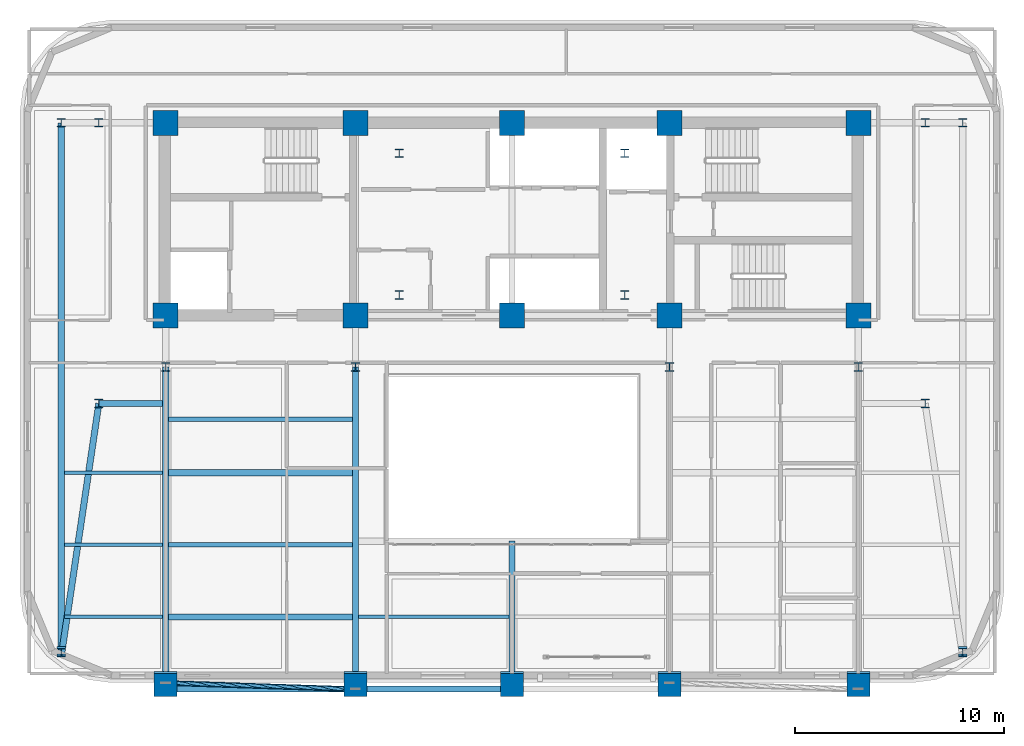
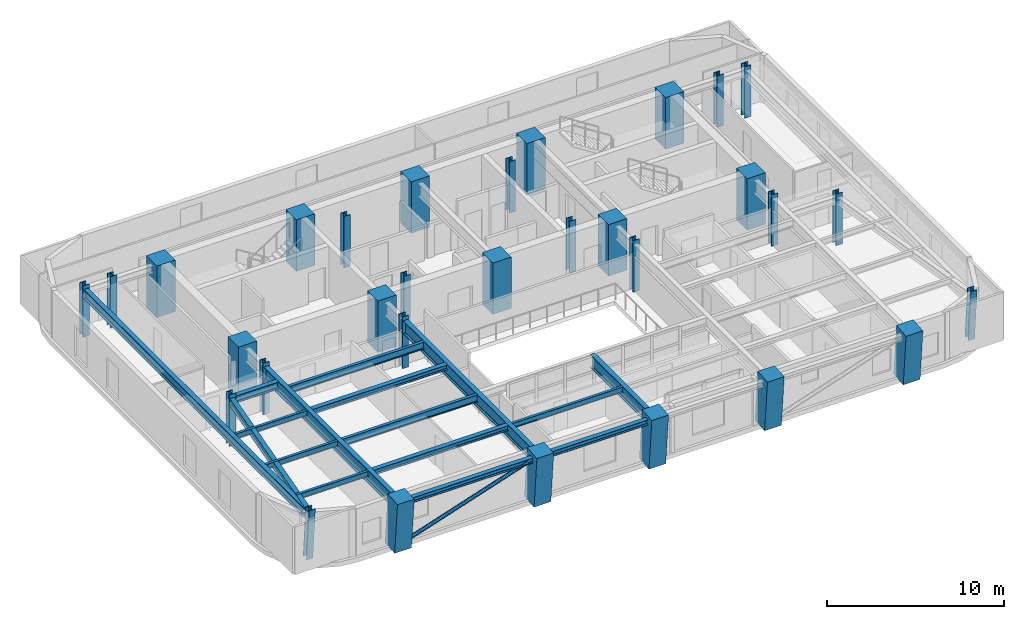
# One storey, part 1 of 13: 31 columns, 16 beams, 1 member.
"""IFC4 building model written with IfcOpenShell, lengths in metres."""

import ifcopenshell
import ifcopenshell.guid

model = None  # the IFC model being written
_history = None  # IfcOwnerHistory: only IFC2X3 demands one
_inside = {}  # id of a spatial element -> (the spatial element, [elements in it])
_under = {}  # id of a project, library or spatial element -> (it, [spatial elements below it])
_declared = {}  # id of a project -> (the project, [libraries it declares])
_typed = {}  # id of a type object -> (the type object, [elements of that type])
_made_of = {}  # id of a material, layer set ... -> (it, [elements and type objects made of it])


def new_model(schema):
    """Start an empty IFC model of exactly this schema.

    Asked for "IFC4X3", IfcOpenShell would pick the latest addendum, in which some entities
    have other attributes; the version numbers below select the first issue.
    IFC2X3 requires an IfcOwnerHistory on every rooted entity: one is made here for all.
    """
    global model, _history
    if schema == "IFC4X3":
        model = ifcopenshell.file(schema_version=(4, 3, 0, 0))
    else:
        model = ifcopenshell.file(schema=schema)
    _inside.clear()
    _under.clear()
    _declared.clear()
    _typed.clear()
    _made_of.clear()
    _history = None
    if model.schema == "IFC2X3":
        org = make("IfcOrganization", Name="unknown")
        user = make(
            "IfcPersonAndOrganization",
            ThePerson=make("IfcPerson", FamilyName="unknown"),
            TheOrganization=org,
        )
        app = make(
            "IfcApplication",
            ApplicationDeveloper=org,
            Version="unknown",
            ApplicationFullName="unknown",
            ApplicationIdentifier="unknown",
        )
        _history = make(
            "IfcOwnerHistory",
            OwningUser=user,
            OwningApplication=app,
            ChangeAction="ADDED",
            CreationDate=0,
        )
    return model


def make(cls, **values):
    """One entity of the class cls with the attributes given. An attribute that is None is left unset."""
    return model.create_entity(
        cls, **{name: value for name, value in values.items() if value is not None}
    )


def rooted(cls, **values):
    """An entity with a GlobalId (a new one), such as an element, a storey or a relation."""
    return make(cls, GlobalId=ifcopenshell.guid.new(), OwnerHistory=_history, **values)


def si_unit(unit_type, name, prefix=None):
    """IfcSIUnit, for example si_unit("LENGTHUNIT", "METRE", prefix="MILLI")."""
    return make("IfcSIUnit", UnitType=unit_type, Prefix=prefix, Name=name)


def assignment(units):
    """IfcUnitAssignment: the units of a project."""
    return None if units is None else make("IfcUnitAssignment", Units=units)


def point(xyz):
    """IfcCartesianPoint."""
    return None if xyz is None else make("IfcCartesianPoint", Coordinates=xyz)


def direction(xyz):
    """IfcDirection."""
    return None if xyz is None else make("IfcDirection", DirectionRatios=xyz)


def frame(location, z_axis=None, x_axis=None):
    """IfcAxis2Placement3D, a coordinate frame: its origin and axes. An axis left out is left unset."""
    return make(
        "IfcAxis2Placement3D",
        Location=point(location),
        Axis=direction(z_axis),
        RefDirection=direction(x_axis),
    )


def frame_2d(location, x_axis=None):
    """IfcAxis2Placement2D, a coordinate frame in the plane: its origin and x axis."""
    return make(
        "IfcAxis2Placement2D", Location=point(location), RefDirection=direction(x_axis)
    )


def origin():
    """The frame at (0, 0, 0) with its axes left unset."""
    return frame((0.0, 0.0, 0.0))


def origin_2d():
    """The frame at (0, 0) in the plane with its x axis left unset."""
    return frame_2d((0.0, 0.0))


def place(relative_to, where):
    """IfcLocalPlacement: puts the frame where relative to a parent placement (None: the world)."""
    return make(
        "IfcLocalPlacement", PlacementRelTo=relative_to, RelativePlacement=where
    )


def context(
    kind, dimensions, precision=None, world=None, true_north=None, identifier=None
):
    """IfcGeometricRepresentationContext, for example the 3D "Model" context."""
    return make(
        "IfcGeometricRepresentationContext",
        ContextIdentifier=identifier,
        ContextType=kind,
        CoordinateSpaceDimension=dimensions,
        Precision=precision,
        WorldCoordinateSystem=world,
        TrueNorth=true_north,
    )


def subcontext(parent, identifier, kind, view, scale=None):
    """IfcGeometricRepresentationSubContext, for example "Body" below "Model"."""
    return make(
        "IfcGeometricRepresentationSubContext",
        ContextIdentifier=identifier,
        ContextType=kind,
        ParentContext=parent,
        TargetScale=scale,
        TargetView=view,
    )


def project(units=None, contexts=None):
    """IfcProject with its units and contexts."""
    return rooted(
        "IfcProject",
        Name="project",
        RepresentationContexts=contexts,
        UnitsInContext=assignment(units),
    )


def spatial(cls, under=None, at=None, **own):
    """A site, building, storey or space (cls), placed at a placement, below another one or the project."""
    s = rooted(cls, ObjectPlacement=at, **own)
    if under is not None:
        _under.setdefault(under.id(), (under, []))[1].append(s)
    return s


def profile(cls, at=None, kind="AREA", **sizes):
    """A parametric profile (cls). Its sizes go by their IFC names, for example OverallWidth=200.0."""
    return make(cls, ProfileType=kind, Position=at, **sizes)


def rectangle(**sizes):
    """IfcRectangleProfileDef."""
    return profile("IfcRectangleProfileDef", **sizes)


def hollow_circle(**sizes):
    """IfcCircleHollowProfileDef."""
    return profile("IfcCircleHollowProfileDef", **sizes)


def i_section(**sizes):
    """IfcIShapeProfileDef."""
    return profile("IfcIShapeProfileDef", **sizes)


def extrude(swept, where, along, depth):
    """IfcExtrudedAreaSolid: the profile swept, set in the frame where, extruded along a direction by depth."""
    return make(
        "IfcExtrudedAreaSolid",
        SweptArea=swept,
        Position=where,
        ExtrudedDirection=direction(along),
        Depth=depth,
    )


def shape(context_of_items, identifier, shape_type, items):
    """IfcShapeRepresentation: the items that make up one representation, for example the "Body"."""
    return make(
        "IfcShapeRepresentation",
        ContextOfItems=context_of_items,
        RepresentationIdentifier=identifier,
        RepresentationType=shape_type,
        Items=items,
    )


def material(Name=None, Category=None):
    """IfcMaterial."""
    return make("IfcMaterial", Name=Name, Category=Category)


def material_profile(
    of_material, cross_section, Name=None, Category=None, Priority=None
):
    """IfcMaterialProfile: a cross section and its material."""
    return make(
        "IfcMaterialProfile",
        Name=Name,
        Material=of_material,
        Profile=cross_section,
        Priority=Priority,
        Category=Category,
    )


def profile_set(profiles, Name=None, composite=None):
    """IfcMaterialProfileSet."""
    return make(
        "IfcMaterialProfileSet",
        Name=Name,
        MaterialProfiles=profiles,
        CompositeProfile=composite,
    )


def made_of(thing, what):
    """Note that an element or type object is made of a material, layer set ...; save() writes the relation."""
    if what is not None:
        _made_of.setdefault(what.id(), (what, []))[1].append(thing)
    return thing


def type_object(cls, material=None, **own):
    """A type object (cls), such as IfcWallType, which elements share."""
    return made_of(rooted(cls, **own), material)


def element(
    cls,
    number,
    at=None,
    inside=None,
    cuts=None,
    type_object=None,
    material=None,
    context=None,
    identifier="Body",
    shape_type=None,
    held_by="IfcProductDefinitionShape",
    body=None,
    shapes=None,
    **own,
):
    """One element of the class cls, such as IfcWall. Its Tag is "e" and its number.

    at: its placement. inside: the storey or other place that contains it. cuts: it is an
    opening in that element (IfcRelVoidsElement). A single representation is given by context,
    identifier, shape_type and body (its items); several are given by shapes. held_by: the class
    of the entity that holds the representations. save() writes the other relations.
    """
    e = rooted(cls, Tag="e%d" % number, ObjectPlacement=at, **own)
    if body is not None:
        shapes = [shape(context, identifier, shape_type, body)]
    if shapes is not None:
        e.Representation = make(held_by, Representations=shapes)
    if inside is not None:
        _inside.setdefault(inside.id(), (inside, []))[1].append(e)
    if cuts is not None:
        rooted(
            "IfcRelVoidsElement", RelatingBuildingElement=cuts, RelatedOpeningElement=e
        )
    if type_object is not None:
        _typed.setdefault(type_object.id(), (type_object, []))[1].append(e)
    return made_of(e, material)


def aggregate(whole, parts):
    """IfcRelAggregates: a whole, such as a stair, and the parts it consists of."""
    return rooted("IfcRelAggregates", RelatingObject=whole, RelatedObjects=parts)


def save(model, path):
    """Write the relations noted so far, then the file.

    IfcRelAggregates (storeys below a building ...), IfcRelContainedInSpatialStructure (elements
    in a storey), IfcRelDefinesByType, IfcRelAssociatesMaterial and IfcRelDeclares: one each for
    every whole, place, type object, material and project.
    """
    for whole, parts in _under.values():
        aggregate(whole, parts)
    for where, things in _inside.values():
        rooted(
            "IfcRelContainedInSpatialStructure",
            RelatedElements=things,
            RelatingStructure=where,
        )
    for kind, things in _typed.values():
        rooted("IfcRelDefinesByType", RelatedObjects=things, RelatingType=kind)
    for what, things in _made_of.values():
        rooted("IfcRelAssociatesMaterial", RelatedObjects=things, RelatingMaterial=what)
    for by, libraries in _declared.values():
        rooted("IfcRelDeclares", RelatingContext=by, RelatedDefinitions=libraries)
    model.write(path)


model = new_model("IFC4")

# Units and contexts
model_context = context("Model", 3, precision=1e-05, world=origin(), true_north=direction((0.0, 1.0)))
body_context = subcontext(model_context, "Body", "Model", "MODEL_VIEW")
ifc_project = project(units=[si_unit("LENGTHUNIT", "METRE"), si_unit("AREAUNIT", "SQUARE_METRE"), si_unit("VOLUMEUNIT", "CUBIC_METRE"), si_unit("PLANEANGLEUNIT", "RADIAN"), si_unit("MASSUNIT", "GRAM", prefix="KILO")], contexts=[model_context])

# Site, building, storey
site_placement = place(None, origin())
site = spatial("IfcSite", under=ifc_project, at=site_placement, CompositionType="ELEMENT")
building_placement = place(site_placement, origin())
building = spatial("IfcBuilding", under=site, at=building_placement, Name="Zarnavel Station Tower", CompositionType="ELEMENT")
storey_placement = place(building_placement, frame((0.0, 0.0, 176.75)))
storey = spatial("IfcBuildingStorey", under=building, at=storey_placement, Name="L48", CompositionType="ELEMENT", Elevation=176.75)

# Columns
ifc_material_1 = material(Name="Steel S355J2", Category="steel")
ifc_material_profile_1 = material_profile(ifc_material_1, i_section(OverallWidth=0.4130859375, OverallDepth=0.4150390625, WebThickness=0.030029296875, FlangeThickness=0.047119140625, FilletRadius=0.014892578125, at=origin_2d()), Name="HD400x347")
ifc_profile_set_1 = profile_set([ifc_material_profile_1], Name="Steel S355J2")
column_type_1 = type_object("IfcColumnType", Name="EC_HD347", PredefinedType="COLUMN", material=ifc_profile_set_1)
column_1_placement = place(storey_placement, frame((7.199951171875, 11.758056640625, 0.0), z_axis=(0.0, -0.079930493943, 0.996800439475), x_axis=(1.0, 0.0, 0.0)))
element("IfcColumn", 1, at=column_1_placement, inside=storey, type_object=column_type_1, Name="L48 Raked Wing Column 1", PredefinedType="COLUMN", context=body_context, shape_type="SweptSolid", body=[
    extrude(i_section(OverallWidth=0.4130859375, OverallDepth=0.4150390625, WebThickness=0.030029296875, FlangeThickness=0.047119140625, FilletRadius=0.014892578125, at=origin_2d()), origin(), (0.0, 0.0, 1.0), 3.5615234375),
])
column_2_placement = place(storey_placement, frame((7.199951171875, 37.050048828125, 0.0), z_axis=(0.0, 0.0, 1.0), x_axis=(1.0, 0.0, 0.0)))
element("IfcColumn", 2, at=column_2_placement, inside=storey, type_object=column_type_1, Name="L48 Outer Wing North Column 1", PredefinedType="COLUMN", context=body_context, shape_type="SweptSolid", body=[
    extrude(i_section(OverallWidth=0.4130859375, OverallDepth=0.4150390625, WebThickness=0.030029296875, FlangeThickness=0.047119140625, FilletRadius=0.014892578125, at=origin_2d()), origin(), (0.0, 0.0, 1.0), 3.550048828125),
])
column_3_placement = place(storey_placement, frame((50.39990234375, 11.758056640625, 0.0), z_axis=(0.0, -0.079930493943, 0.996800439475), x_axis=(1.0, 0.0, 0.0)))
element("IfcColumn", 3, at=column_3_placement, inside=storey, type_object=column_type_1, Name="L48 Raked Wing Column 2", PredefinedType="COLUMN", context=body_context, shape_type="SweptSolid", body=[
    extrude(i_section(OverallWidth=0.4130859375, OverallDepth=0.4150390625, WebThickness=0.030029296875, FlangeThickness=0.047119140625, FilletRadius=0.014892578125, at=origin_2d()), origin(), (0.0, 0.0, 1.0), 3.5615234375),
])
column_4_placement = place(storey_placement, frame((50.39990234375, 37.050048828125, 0.0), z_axis=(0.0, 0.0, 1.0), x_axis=(1.0, 0.0, 0.0)))
element("IfcColumn", 4, at=column_4_placement, inside=storey, type_object=column_type_1, Name="L48 Outer Wing North Column 2", PredefinedType="COLUMN", context=body_context, shape_type="SweptSolid", body=[
    extrude(i_section(OverallWidth=0.4130859375, OverallDepth=0.4150390625, WebThickness=0.030029296875, FlangeThickness=0.047119140625, FilletRadius=0.014892578125, at=origin_2d()), origin(), (0.0, 0.0, 1.0), 3.550048828125),
])
ifc_material_2 = material(Name="Steel S355J2", Category="steel")
ifc_material_profile_2 = material_profile(ifc_material_2, i_section(OverallWidth=0.4130859375, OverallDepth=0.4150390625, WebThickness=0.030029296875, FlangeThickness=0.047119140625, FilletRadius=0.014892578125, at=origin_2d()), Name="HD400x347")
ifc_profile_set_2 = profile_set([ifc_material_profile_2], Name="Steel S355J2")
column_type_2 = type_object("IfcColumnType", Name="IC_HD347", PredefinedType="COLUMN", material=ifc_profile_set_2)
for number, where, z_axis, x_axis, name in (
    (5, (23.39990234375, 28.800048828125, 0.0), (0.0, 0.0, 1.0), (1.0, 0.0, 0.0), "L48 Mast Spine Column 1"),
    (6, (34.199951171875, 28.800048828125, 0.0), (0.0, 0.0, 1.0), (1.0, 0.0, 0.0), "L48 Mast Spine Column 2"),
    (7, (34.199951171875, 35.60009765625, 0.0), (0.0, 0.0, 1.0), (1.0, 0.0, 0.0), "L48 Mast Spine Column 3"),
    (8, (23.39990234375, 35.60009765625, 0.0), (0.0, 0.0, 1.0), (1.0, 0.0, 0.0), "L48 Mast Spine Column 4"),
    (9, (12.199951171875, 25.35009765625, 0.0), (0.0, 0.0, 1.0), (1.0, 0.0, 0.0), "L48 Inner Spine Column 1"),
    (10, (21.300048828125, 25.35009765625, 0.0), (0.0, 0.0, 1.0), (1.0, 0.0, 0.0), "L48 Inner Spine Column 2"),
    (11, (36.35009765625, 25.35009765625, 0.0), (0.0, 0.0, 1.0), (1.0, 0.0, 0.0), "L48 Inner Spine Column 4"),
    (12, (45.39990234375, 25.35009765625, 0.0), (0.0, 0.0, 1.0), (1.0, 0.0, 0.0), "L48 Inner Spine Column 5"),
    (13, (9.0, 23.60009765625, 0.0), (0.0, 0.0, 1.0), (1.0, 0.0, 0.0), "L48 Inner Wing Spine Column 1-1"),
    (14, (9.0, 37.050048828125, 0.0), (0.0, 0.0, 1.0), (1.0, 0.0, 0.0), "L48 Inner Wing Spine Column 1-2"),
    (15, (48.60009765625, 23.60009765625, 0.0), (0.0, 0.0, 1.0), (1.0, 0.0, 0.0), "L48 Inner Wing Spine Column 2-1"),
    (16, (48.60009765625, 37.050048828125, 0.0), (0.0, 0.0, 1.0), (1.0, 0.0, 0.0), "L48 Inner Wing Spine Column 2-2"),
):
    element("IfcColumn", number, at=place(storey_placement, frame(where, z_axis=z_axis, x_axis=x_axis)), inside=storey, type_object=column_type_2, Name=name, PredefinedType="COLUMN", context=body_context, shape_type="SweptSolid", body=[
        extrude(i_section(OverallWidth=0.4130859375, OverallDepth=0.4150390625, WebThickness=0.030029296875, FlangeThickness=0.047119140625, FilletRadius=0.014892578125, at=origin_2d()), origin(), (0.0, 0.0, 1.0), 3.550048828125),
    ])
ifc_material_3 = material(Name="Concrete C50/60", Category="concrete")
ifc_material_profile_3 = material_profile(ifc_material_3, rectangle(XDim=1.199951171875, YDim=1.199951171875, at=origin_2d()), Name="RC1200x1200")
ifc_profile_set_3 = profile_set([ifc_material_profile_3], Name="Concrete C50/60")
column_type_3 = type_object("IfcColumnType", Name="IC_RC1200", PredefinedType="COLUMN", material=ifc_profile_set_3)
for number, where, z_axis, x_axis, name in (
    (17, (12.199951171875, 27.820068359375, 0.0), (0.0, 0.0, 1.0), (1.0, 0.0, 0.0), "L48 Core Spine Column 1-1"),
    (18, (12.199951171875, 37.050048828125, 0.0), (0.0, 0.0, 1.0), (1.0, 0.0, 0.0), "L48 Core Spine Column 1-2"),
    (19, (21.300048828125, 27.820068359375, 0.0), (0.0, 0.0, 1.0), (1.0, 0.0, 0.0), "L48 Core Spine Column 2-1"),
    (20, (21.300048828125, 37.050048828125, 0.0), (0.0, 0.0, 1.0), (1.0, 0.0, 0.0), "L48 Core Spine Column 2-2"),
    (21, (28.800048828125, 27.820068359375, 0.0), (0.0, 0.0, 1.0), (1.0, 0.0, 0.0), "L48 Core Spine Column 3-1"),
    (22, (28.800048828125, 37.050048828125, 0.0), (0.0, 0.0, 1.0), (1.0, 0.0, 0.0), "L48 Core Spine Column 3-2"),
    (23, (36.35009765625, 27.820068359375, 0.0), (0.0, 0.0, 1.0), (1.0, 0.0, 0.0), "L48 Core Spine Column 4-1"),
    (24, (36.35009765625, 37.050048828125, 0.0), (0.0, 0.0, 1.0), (1.0, 0.0, 0.0), "L48 Core Spine Column 4-2"),
    (25, (45.39990234375, 27.820068359375, 0.0), (0.0, 0.0, 1.0), (1.0, 0.0, 0.0), "L48 Core Spine Column 5-1"),
    (26, (45.39990234375, 37.050048828125, 0.0), (0.0, 0.0, 1.0), (1.0, 0.0, 0.0), "L48 Core Spine Column 5-2"),
):
    element("IfcColumn", number, at=place(storey_placement, frame(where, z_axis=z_axis, x_axis=x_axis)), inside=storey, type_object=column_type_3, Name=name, PredefinedType="COLUMN", context=body_context, shape_type="SweptSolid", body=[
        extrude(rectangle(XDim=1.199951171875, YDim=1.199951171875, at=origin_2d()), origin(), (0.0, 0.0, 1.0), 3.550048828125),
    ])
ifc_material_4 = material(Name="Concrete C50/60", Category="concrete")
ifc_material_profile_4 = material_profile(ifc_material_4, rectangle(XDim=1.10009765625, YDim=1.10009765625, at=origin_2d()), Name="RC1100x1100")
ifc_profile_set_4 = profile_set([ifc_material_profile_4], Name="Concrete C50/60")
column_type_4 = type_object("IfcColumnType", Name="MC_RC1100", PredefinedType="COLUMN", material=ifc_profile_set_4)
for number, where, z_axis, x_axis, name in (
    (27, (12.199951171875, 10.2109375, 0.0), (0.0, -0.0902702026, 0.995917311087), (1.0, 0.0, 0.0), "L48 Raked South Mega-Column 1"),
    (28, (21.300048828125, 10.2109375, 0.0), (0.0, -0.0902702026, 0.995917311087), (1.0, 0.0, 0.0), "L48 Raked South Mega-Column 2"),
    (29, (28.800048828125, 10.2109375, 0.0), (0.0, -0.0902702026, 0.995917311087), (1.0, 0.0, 0.0), "L48 Raked South Mega-Column 3"),
    (30, (36.35009765625, 10.2109375, 0.0), (0.0, -0.0902702026, 0.995917311087), (1.0, 0.0, 0.0), "L48 Raked South Mega-Column 4"),
    (31, (45.39990234375, 10.2109375, 0.0), (0.0, -0.0902702026, 0.995917311087), (1.0, 0.0, 0.0), "L48 Raked South Mega-Column 5"),
):
    element("IfcColumn", number, at=place(storey_placement, frame(where, z_axis=z_axis, x_axis=x_axis)), inside=storey, type_object=column_type_4, Name=name, PredefinedType="COLUMN", context=body_context, shape_type="SweptSolid", body=[
        extrude(rectangle(XDim=1.10009765625, YDim=1.10009765625, at=origin_2d()), origin(), (0.0, 0.0, 1.0), 3.564697265625),
    ])

# Member
ifc_material_5 = material(Name="Steel S355J2", Category="steel")
ifc_material_profile_5 = material_profile(ifc_material_5, hollow_circle(Radius=0.122314453125, WallThickness=0.010009765625, at=origin_2d()), Name="CHS244.5x10")
ifc_profile_set_5 = profile_set([ifc_material_profile_5], Name="Steel S355J2")
member_type = type_object("IfcMemberType", Name="DB_EXT_CHS245", PredefinedType="BRACE", material=ifc_profile_set_5)
member_placement = place(storey_placement, frame((12.199951171875, 10.2109375, 0.0), z_axis=(0.93997940641, -0.030791298364, 0.339839096442), x_axis=(0.032739857023, 0.999463907183, 0.0)))
element("IfcMember", 32, at=member_placement, inside=storey, type_object=member_type, Name="L48 Persian Exterior Diagonal Frame Brace 1", PredefinedType="BRACE", context=body_context, shape_type="SweptSolid", body=[
    extrude(hollow_circle(Radius=0.122314453125, WallThickness=0.010009765625, at=origin_2d()), origin(), (0.0, 0.0, 1.0), 9.68115234375),
])

# Beams
ifc_material_6 = material(Name="Steel S355J2", Category="steel")
ifc_material_profile_6 = material_profile(ifc_material_6, i_section(OverallWidth=0.300048828125, OverallDepth=0.360107421875, WebThickness=0.012451171875, FlangeThickness=0.0224609375, FilletRadius=0.027099609375, at=origin_2d()), Name="HEB360")
ifc_profile_set_6 = profile_set([ifc_material_profile_6], Name="Steel S355J2")
beam_type_1 = type_object("IfcBeamType", Name="EB_HEB360", PredefinedType="SPANDREL", material=ifc_profile_set_6)
beam_1_placement = place(storey_placement, frame((12.199951171875, 9.912841796875, 3.110107421875), z_axis=(1.0, 0.0, 0.0), x_axis=(0.0, 1.0, 0.0)))
element("IfcBeam", 33, at=beam_1_placement, inside=storey, type_object=beam_type_1, Name="L48 South Raked Spandrel 1", PredefinedType="SPANDREL", context=body_context, shape_type="SweptSolid", body=[
    extrude(i_section(OverallWidth=0.300048828125, OverallDepth=0.360107421875, WebThickness=0.012451171875, FlangeThickness=0.0224609375, FilletRadius=0.027099609375, at=origin_2d()), origin(), (0.0, 0.0, 1.0), 9.10009765625),
])
beam_2_placement = place(storey_placement, frame((21.300048828125, 9.912841796875, 3.110107421875), z_axis=(1.0, 0.0, 0.0), x_axis=(0.0, 1.0, 0.0)))
element("IfcBeam", 34, at=beam_2_placement, inside=storey, type_object=beam_type_1, Name="L48 South Raked Spandrel 2", PredefinedType="SPANDREL", context=body_context, shape_type="SweptSolid", body=[
    extrude(i_section(OverallWidth=0.300048828125, OverallDepth=0.360107421875, WebThickness=0.012451171875, FlangeThickness=0.0224609375, FilletRadius=0.027099609375, at=origin_2d()), origin(), (0.0, 0.0, 1.0), 7.5),
])
ifc_material_7 = material(Name="Steel S355J2", Category="steel")
ifc_material_profile_7 = material_profile(ifc_material_7, i_section(OverallWidth=0.300048828125, OverallDepth=0.35009765625, WebThickness=0.010009765625, FlangeThickness=0.017578125, FilletRadius=0.027099609375, at=origin_2d()), Name="HEA360")
ifc_profile_set_7 = profile_set([ifc_material_profile_7], Name="Steel S355J2")
beam_type_2 = type_object("IfcBeamType", Name="FB_HEA360", PredefinedType="BEAM", material=ifc_profile_set_7)
for number, where, z_axis, x_axis, name in (
    (35, (12.344970703125, 13.3701171875, 3.114990234375), (1.0, 0.0, 0.0), (0.0, 1.0, 0.0), "L48 West Bay Beam 1"),
    (36, (12.344970703125, 20.28515625, 3.114990234375), (1.0, 0.0, 0.0), (0.0, 1.0, 0.0), "L48 West Bay Beam 3"),
):
    element("IfcBeam", number, at=place(storey_placement, frame(where, z_axis=z_axis, x_axis=x_axis)), inside=storey, type_object=beam_type_2, Name=name, PredefinedType="BEAM", context=body_context, shape_type="SweptSolid", body=[
        extrude(i_section(OverallWidth=0.300048828125, OverallDepth=0.35009765625, WebThickness=0.010009765625, FlangeThickness=0.017578125, FilletRadius=0.027099609375, at=origin_2d()), origin(), (0.0, 0.0, 1.0), 8.81005859375),
    ])
ifc_material_8 = material(Name="Steel S355J2", Category="steel")
ifc_material_profile_8 = material_profile(ifc_material_8, i_section(OverallWidth=0.199951171875, OverallDepth=0.5, WebThickness=0.01025390625, FlangeThickness=0.01611328125, FilletRadius=0.02099609375, at=origin_2d()), Name="IPE500")
ifc_profile_set_8 = profile_set([ifc_material_profile_8], Name="Steel S355J2")
beam_type_3 = type_object("IfcBeamType", Name="FB_IPE500", PredefinedType="BEAM", material=ifc_profile_set_8)
for number, where, z_axis, x_axis, name in (
    (37, (12.344970703125, 16.82763671875, 3.0400390625), (1.0, 0.0, 0.0), (0.0, 1.0, 0.0), "L48 West Bay Beam 2"),
    (38, (12.344970703125, 22.842529296875, 3.0400390625), (1.0, 0.0, 0.0), (0.0, 1.0, 0.0), "L48 West Bay Beam 4"),
):
    element("IfcBeam", number, at=place(storey_placement, frame(where, z_axis=z_axis, x_axis=x_axis)), inside=storey, type_object=beam_type_3, Name=name, PredefinedType="BEAM", context=body_context, shape_type="SweptSolid", body=[
        extrude(i_section(OverallWidth=0.199951171875, OverallDepth=0.5, WebThickness=0.01025390625, FlangeThickness=0.01611328125, FilletRadius=0.02099609375, at=origin_2d()), origin(), (0.0, 0.0, 1.0), 8.81005859375),
    ])
ifc_material_9 = material(Name="Steel S355J2", Category="steel")
ifc_material_profile_9 = material_profile(ifc_material_9, i_section(OverallWidth=0.300048828125, OverallDepth=0.5, WebThickness=0.014404296875, FlangeThickness=0.028076171875, FilletRadius=0.027099609375, at=origin_2d()), Name="HEB500")
ifc_profile_set_9 = profile_set([ifc_material_profile_9], Name="Steel S355J2")
beam_type_4 = type_object("IfcBeamType", Name="FG_HEB500", PredefinedType="USERDEFINED", material=ifc_profile_set_9)
beam_3_placement = place(storey_placement, frame((7.199951171875, 11.494384765625, 3.0400390625), z_axis=(0.147077116751, 0.98912502836, 0.0), x_axis=(-0.98912502836, 0.147077116751, 0.0)))
element("IfcBeam", 39, at=beam_3_placement, inside=storey, type_object=beam_type_4, Name="L48 West Wing South Tie 1", ObjectType="GIRDER", PredefinedType="USERDEFINED", context=body_context, shape_type="SweptSolid", body=[
    extrude(i_section(OverallWidth=0.300048828125, OverallDepth=0.5, WebThickness=0.014404296875, FlangeThickness=0.028076171875, FilletRadius=0.027099609375, at=origin_2d()), origin(), (0.0, 0.0, 1.0), 12.23876953125),
])
beam_4_placement = place(storey_placement, frame((9.0, 23.60009765625, 3.0400390625), z_axis=(1.0, 0.0, 0.0), x_axis=(0.0, 1.0, 0.0)))
element("IfcBeam", 40, at=beam_4_placement, inside=storey, type_object=beam_type_4, Name="L48 West Wing South Tie 2", ObjectType="GIRDER", PredefinedType="USERDEFINED", context=body_context, shape_type="SweptSolid", body=[
    extrude(i_section(OverallWidth=0.300048828125, OverallDepth=0.5, WebThickness=0.014404296875, FlangeThickness=0.028076171875, FilletRadius=0.027099609375, at=origin_2d()), origin(), (0.0, 0.0, 1.0), 3.054931640625),
])
ifc_material_10 = material(Name="Steel S355J2", Category="steel")
ifc_material_profile_10 = material_profile(ifc_material_10, i_section(OverallWidth=0.300048828125, OverallDepth=0.64990234375, WebThickness=0.01611328125, FlangeThickness=0.031005859375, FilletRadius=0.027099609375, at=origin_2d()), Name="HEB650")
ifc_profile_set_10 = profile_set([ifc_material_profile_10], Name="Steel S355J2")
beam_type_5 = type_object("IfcBeamType", Name="FG_HEB650", PredefinedType="USERDEFINED", material=ifc_profile_set_10)
beam_5_placement = place(storey_placement, frame((7.199951171875, 11.494384765625, 2.965087890625), z_axis=(0.0, 1.0, 0.0), x_axis=(-1.0, 0.0, 0.0)))
element("IfcBeam", 41, at=beam_5_placement, inside=storey, type_object=beam_type_5, Name="L48 Wing NS Girder 1", ObjectType="GIRDER", PredefinedType="USERDEFINED", context=body_context, shape_type="SweptSolid", body=[
    extrude(i_section(OverallWidth=0.300048828125, OverallDepth=0.64990234375, WebThickness=0.01611328125, FlangeThickness=0.031005859375, FilletRadius=0.027099609375, at=origin_2d()), origin(), (0.0, 0.0, 1.0), 25.5556640625),
])
ifc_material_11 = material(Name="Steel S355J2", Category="steel")
ifc_material_profile_11 = material_profile(ifc_material_11, i_section(OverallWidth=0.300048828125, OverallDepth=0.89990234375, WebThickness=0.0185546875, FlangeThickness=0.034912109375, FilletRadius=0.030029296875, at=origin_2d()), Name="HEB900")
ifc_profile_set_11 = profile_set([ifc_material_profile_11], Name="Steel S355J2")
beam_type_6 = type_object("IfcBeamType", Name="FG_HEB900", PredefinedType="USERDEFINED", material=ifc_profile_set_11)
for number, where, z_axis, x_axis, name in (
    (42, (12.199951171875, 9.912841796875, 2.840087890625), (0.0, 1.0, 0.0), (-1.0, 0.0, 0.0), "L48 South-Zone NS Girder 1"),
    (43, (21.300048828125, 9.912841796875, 2.840087890625), (0.0, 1.0, 0.0), (-1.0, 0.0, 0.0), "L48 South-Zone NS Girder 2"),
):
    element("IfcBeam", number, at=place(storey_placement, frame(where, z_axis=z_axis, x_axis=x_axis)), inside=storey, type_object=beam_type_6, Name=name, ObjectType="GIRDER", PredefinedType="USERDEFINED", context=body_context, shape_type="SweptSolid", body=[
        extrude(i_section(OverallWidth=0.300048828125, OverallDepth=0.89990234375, WebThickness=0.0185546875, FlangeThickness=0.034912109375, FilletRadius=0.030029296875, at=origin_2d()), origin(), (0.0, 0.0, 1.0), 15.437255859375),
    ])
beam_6_placement = place(storey_placement, frame((28.800048828125, 9.912841796875, 2.840087890625), z_axis=(0.0, 1.0, 0.0), x_axis=(-1.0, 0.0, 0.0)))
element("IfcBeam", 44, at=beam_6_placement, inside=storey, type_object=beam_type_6, Name="L48 Central Atrium-South Girder", ObjectType="GIRDER", PredefinedType="USERDEFINED", context=body_context, shape_type="SweptSolid", body=[
    extrude(i_section(OverallWidth=0.300048828125, OverallDepth=0.89990234375, WebThickness=0.0185546875, FlangeThickness=0.034912109375, FilletRadius=0.030029296875, at=origin_2d()), origin(), (0.0, 0.0, 1.0), 7.087158203125),
])
ifc_material_12 = material(Name="Steel S355J2", Category="steel")
ifc_material_profile_12 = material_profile(ifc_material_12, i_section(OverallWidth=0.169921875, OverallDepth=0.360107421875, WebThickness=0.008056640625, FlangeThickness=0.0126953125, FilletRadius=0.01806640625, at=origin_2d()), Name="IPE360")
ifc_profile_set_12 = profile_set([ifc_material_profile_12], Name="Steel S355J2")
beam_type_7 = type_object("IfcBeamType", Name="FJ_IPE360", PredefinedType="JOIST", material=ifc_profile_set_12)
beam_7_placement = place(storey_placement, frame((21.445068359375, 13.3701171875, 3.110107421875), z_axis=(1.0, 0.0, 0.0), x_axis=(0.0, 1.0, 0.0)))
element("IfcBeam", 45, at=beam_7_placement, inside=storey, type_object=beam_type_7, Name="L48 Mid-West Joist 1", PredefinedType="JOIST", context=body_context, shape_type="SweptSolid", body=[
    extrude(i_section(OverallWidth=0.169921875, OverallDepth=0.360107421875, WebThickness=0.008056640625, FlangeThickness=0.0126953125, FilletRadius=0.01806640625, at=origin_2d()), origin(), (0.0, 0.0, 1.0), 7.2099609375),
])
for number, where, z_axis, x_axis, name in (
    (46, (7.344970703125, 13.3701171875, 3.110107421875), (1.0, 0.0, 0.0), (0.0, 1.0, 0.0), "L48 West Wing Joist 1"),
    (47, (7.344970703125, 16.82763671875, 3.110107421875), (1.0, 0.0, 0.0), (0.0, 1.0, 0.0), "L48 West Wing Joist 2"),
    (48, (7.344970703125, 20.28515625, 3.110107421875), (1.0, 0.0, 0.0), (0.0, 1.0, 0.0), "L48 West Wing Joist 3"),
):
    element("IfcBeam", number, at=place(storey_placement, frame(where, z_axis=z_axis, x_axis=x_axis)), inside=storey, type_object=beam_type_7, Name=name, PredefinedType="JOIST", context=body_context, shape_type="SweptSolid", body=[
        extrude(i_section(OverallWidth=0.169921875, OverallDepth=0.360107421875, WebThickness=0.008056640625, FlangeThickness=0.0126953125, FilletRadius=0.01806640625, at=origin_2d()), origin(), (0.0, 0.0, 1.0), 4.7099609375),
    ])

save(model, "model.ifc")
